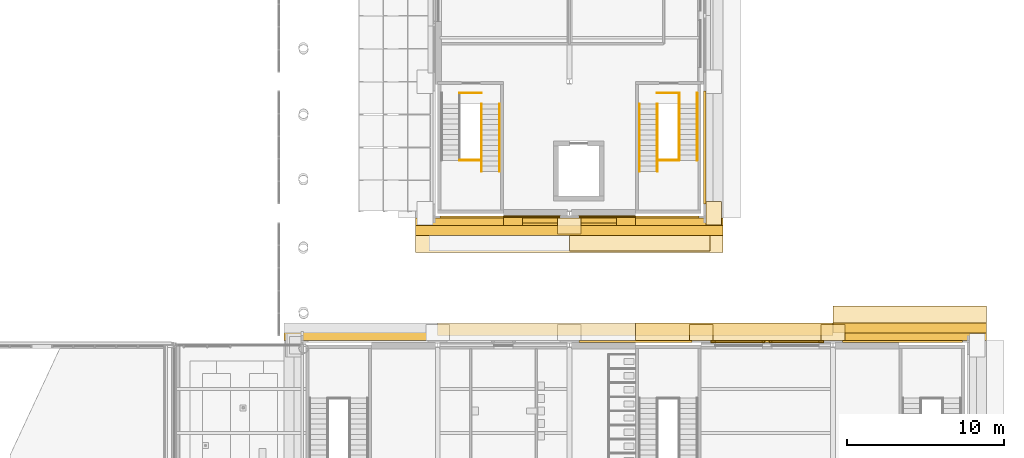
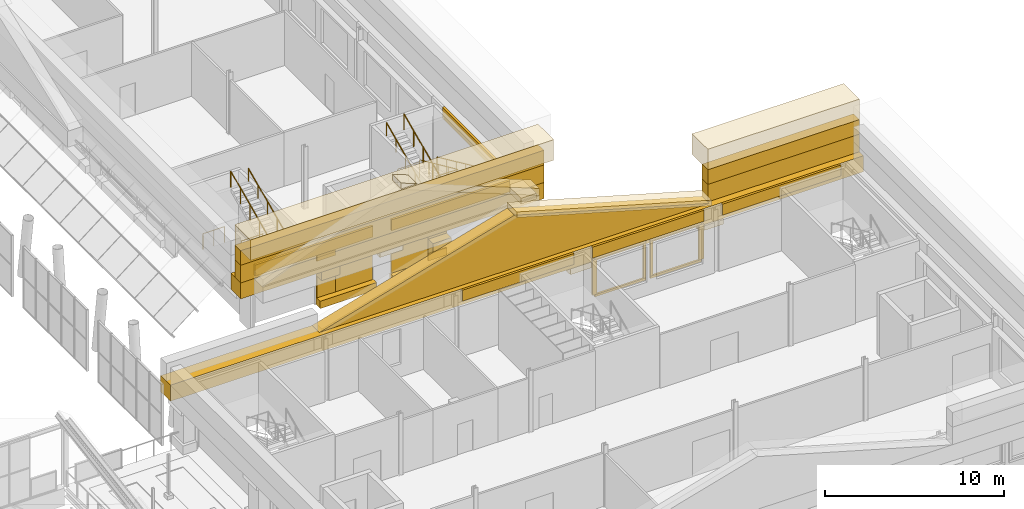
# One storey, part 64 of 76: 39 coverings, 10 railings.
"""IFC4 building model written with IfcOpenShell, lengths in metres."""

from ifc_helpers import new_model, si_unit, direction, frame, origin, origin_2d, place, context, subcontext, project, spatial, polyline, rectangle, circle, outline, extrude, material, layer, layer_set, type_object, element, save


model = new_model("IFC4")

# Units and contexts
model_context = context("Model", 3, precision=1e-05, world=origin(), true_north=direction((0.0, 1.0)))
body_context = subcontext(model_context, "Body", "Model", "MODEL_VIEW")
ifc_project = project(units=[si_unit("LENGTHUNIT", "METRE"), si_unit("AREAUNIT", "SQUARE_METRE"), si_unit("VOLUMEUNIT", "CUBIC_METRE"), si_unit("PLANEANGLEUNIT", "RADIAN"), si_unit("MASSUNIT", "GRAM", prefix="KILO")], contexts=[model_context])

# Site, building, storey
site_placement = place(None, origin())
site = spatial("IfcSite", under=ifc_project, at=site_placement, CompositionType="ELEMENT")
building_placement = place(site_placement, origin())
building = spatial("IfcBuilding", under=site, at=building_placement, Name="Sava Quay Ferry Terminal", CompositionType="ELEMENT")
storey_placement = place(building_placement, frame((0.0, 0.0, 10.800048828125)))
storey = spatial("IfcBuildingStorey", under=building, at=storey_placement, Name="L02", CompositionType="ELEMENT", Elevation=10.800048828125)

# Coverings
ifc_material_1 = material(Name="Limestone Mutalj", Category="masonry")
ifc_layer_1 = layer(ifc_material_1, 1.75)
ifc_layer_set_1 = layer_set([ifc_layer_1], Name="Limestone Mutalj")
covering_type_1 = type_object("IfcCoveringType", Name="Attic crown cornice 1400", PredefinedType="MOLDING", material=ifc_layer_set_1)
covering_1_placement = place(storey_placement, frame((100.800048828125, 57.1650390625, 6.39990234375), z_axis=(0.0, 0.0, 1.0), x_axis=(1.0, 0.0, 0.0)))
element("IfcCovering", 1, at=covering_1_placement, inside=storey, type_object=covering_type_1, Name="Attic crown cornice", PredefinedType="MOLDING", context=body_context, shape_type="SweptSolid", body=[
    extrude(rectangle(XDim=19.60009765625, YDim=1.75, at=origin_2d()), origin(), (0.0, 0.0, 1.0), 1.39990234375),
])
covering_2_placement = place(storey_placement, frame((122.5, 52.034912109375, 6.39990234375), z_axis=(0.0, 0.0, 1.0), x_axis=(1.0, 0.0, 0.0)))
element("IfcCovering", 2, at=covering_2_placement, inside=storey, type_object=covering_type_1, Name="Attic crown cornice", PredefinedType="MOLDING", context=body_context, shape_type="SweptSolid", body=[
    extrude(rectangle(XDim=9.800048828125, YDim=1.75, at=origin_2d()), origin(), (0.0, 0.0, 1.0), 1.39990234375),
])
ifc_material_2 = material(Name="Limestone Mutalj", Category="masonry")
ifc_layer_2 = layer(ifc_material_2, 0.64990234375)
ifc_layer_set_2 = layer_set([ifc_layer_2], Name="Limestone Mutalj")
covering_type_2 = type_object("IfcCoveringType", Name="Attic frieze 1000", PredefinedType="CLADDING", material=ifc_layer_set_2)
covering_3_placement = place(storey_placement, frame((100.800048828125, 57.715087890625, 5.39990234375), z_axis=(0.0, 0.0, 1.0), x_axis=(1.0, 0.0, 0.0)))
element("IfcCovering", 3, at=covering_3_placement, inside=storey, type_object=covering_type_2, Name="Attic frieze", PredefinedType="CLADDING", context=body_context, shape_type="SweptSolid", body=[
    extrude(rectangle(XDim=19.60009765625, YDim=0.64990234375, at=origin_2d()), origin(), (0.0, 0.0, 1.0), 1.0),
])
covering_4_placement = place(storey_placement, frame((122.5, 51.485107421875, 5.39990234375), z_axis=(0.0, 0.0, 1.0), x_axis=(1.0, 0.0, 0.0)))
element("IfcCovering", 4, at=covering_4_placement, inside=storey, type_object=covering_type_2, Name="Attic frieze", PredefinedType="CLADDING", context=body_context, shape_type="SweptSolid", body=[
    extrude(rectangle(XDim=9.800048828125, YDim=0.64990234375, at=origin_2d()), origin(), (0.0, 0.0, 1.0), 1.0),
])
ifc_material_3 = material(Name="Limestone Mutalj", Category="masonry")
ifc_layer_3 = layer(ifc_material_3, 0.64990234375)
ifc_layer_set_3 = layer_set([ifc_layer_3], Name="Limestone Mutalj")
covering_type_3 = type_object("IfcCoveringType", Name="Attic parapet 650", PredefinedType="MOLDING", material=ifc_layer_set_3)
covering_5_placement = place(storey_placement, frame((122.5, 51.485107421875, 4.2001953125), z_axis=(0.0, 0.0, 1.0), x_axis=(1.0, 0.0, 0.0)))
element("IfcCovering", 5, at=covering_5_placement, inside=storey, type_object=covering_type_3, Name="Attic parapet P N", PredefinedType="MOLDING", context=body_context, shape_type="SweptSolid", body=[
    extrude(rectangle(XDim=9.800048828125, YDim=0.64990234375, at=origin_2d()), origin(), (0.0, 0.0, 1.0), 1.199951171875),
])
covering_6_placement = place(storey_placement, frame((100.800048828125, 57.715087890625, 4.2001953125), z_axis=(0.0, 0.0, 1.0), x_axis=(1.0, 0.0, 0.0)))
element("IfcCovering", 6, at=covering_6_placement, inside=storey, type_object=covering_type_3, Name="Attic parapet O S", PredefinedType="MOLDING", context=body_context, shape_type="SweptSolid", body=[
    extrude(rectangle(XDim=19.60009765625, YDim=0.64990234375, at=origin_2d()), origin(), (0.0, 0.0, 1.0), 1.199951171875),
])
ifc_material_4 = material(Name="Limestone Mutalj", Category="masonry")
ifc_layer_4 = layer(ifc_material_4, 0.60009765625)
ifc_layer_set_4 = layer_set([ifc_layer_4], Name="Limestone Mutalj")
covering_type_4 = type_object("IfcCoveringType", Name="Corner quoin block 1200", PredefinedType="CLADDING", material=ifc_layer_set_4)
for number, where, z_axis, x_axis, name in (
    (7, (97.199951171875, 58.340087890625, 2.0), (0.0, 0.0, 1.0), (1.0, 0.0, 0.0), "Corner quoin block"),
    (8, (104.39990234375, 58.340087890625, 1.0), (0.0, 0.0, 1.0), (1.0, 0.0, 0.0), "Corner quoin block"),
):
    element("IfcCovering", number, at=place(storey_placement, frame(where, z_axis=z_axis, x_axis=x_axis)), inside=storey, type_object=covering_type_4, Name=name, PredefinedType="CLADDING", context=body_context, shape_type="SweptSolid", body=[
        extrude(rectangle(XDim=1.199951171875, YDim=0.60009765625, at=origin_2d()), origin(), (0.0, 0.0, 1.0), 1.0),
    ])
ifc_material_5 = material(Name="Limestone Mutalj", Category="masonry")
ifc_layer_5 = layer(ifc_material_5, 1.10009765625)
ifc_layer_set_5 = layer_set([ifc_layer_5], Name="Limestone Mutalj")
covering_type_5 = type_object("IfcCoveringType", Name="Eaves cornice 1100", PredefinedType="MOLDING", material=ifc_layer_set_5)
covering_7_placement = place(storey_placement, frame((105.0, 51.260009765625, 3.099853515625), z_axis=(0.0, 0.0, 1.0), x_axis=(1.0, 0.0, 0.0)))
element("IfcCovering", 9, at=covering_7_placement, inside=storey, type_object=covering_type_5, Name="Eaves cornice P N", PredefinedType="MOLDING", context=body_context, shape_type="SweptSolid", body=[
    extrude(rectangle(XDim=44.800048828125, YDim=1.10009765625, at=origin_2d()), origin(), (0.0, 0.0, 1.0), 1.10009765625),
])
covering_8_placement = place(storey_placement, frame((100.800048828125, 57.93994140625, 3.099853515625), z_axis=(0.0, 0.0, 1.0), x_axis=(1.0, 0.0, 0.0)))
element("IfcCovering", 10, at=covering_8_placement, inside=storey, type_object=covering_type_5, Name="Eaves cornice O S", PredefinedType="MOLDING", context=body_context, shape_type="SweptSolid", body=[
    extrude(rectangle(XDim=19.60009765625, YDim=1.10009765625, at=origin_2d()), origin(), (0.0, 0.0, 1.0), 1.10009765625),
])

# Railings
ifc_material_6 = material(Name="Steel S355", Category="steel")
railing_type_1 = type_object("IfcRailingType", Name="Guard 1100", PredefinedType="GUARDRAIL", material=ifc_material_6)
railing_1_placement = place(storey_placement, frame((93.800048828125, 66.469970703125, 0.0)))
element("IfcRailing", 11, at=railing_1_placement, inside=storey, type_object=railing_type_1, Name="Guard at stair well ST-O1 L02", PredefinedType="GUARDRAIL", context=body_context, shape_type="SweptSolid", body=[
    extrude(circle(Radius=0.02392578125, at=origin_2d()), frame((0.0, 0.0, 1.076171875), z_axis=(1.0, 0.0, 0.0), x_axis=(0.0, 1.0, 0.0)), (0.0, 0.0, 1.0), 1.39990234375),
    extrude(circle(Radius=0.02099609375, at=origin_2d()), origin(), (0.0, 0.0, 1.0), 1.052001953125),
    extrude(circle(Radius=0.02099609375, at=origin_2d()), frame((0.699951171875, 0.0, 0.0)), (0.0, 0.0, 1.0), 1.052001953125),
    extrude(circle(Radius=0.02099609375, at=origin_2d()), frame((1.39990234375, 0.0, 0.0)), (0.0, 0.0, 1.0), 1.052001953125),
])
railing_2_placement = place(storey_placement, frame((95.199951171875, 61.47998046875, 2.25)))
element("IfcRailing", 12, at=railing_2_placement, inside=storey, type_object=railing_type_1, Name="Guard at stair well ST-O1 L02", PredefinedType="GUARDRAIL", context=body_context, shape_type="SweptSolid", body=[
    extrude(circle(Radius=0.02392578125, at=origin_2d()), frame((0.0, 0.0, 1.076171875), z_axis=(0.0, 0.910371800137, 0.413791234219), x_axis=(-1.0, 0.0, 0.0)), (0.0, 0.0, 1.0), 4.71240234375),
    extrude(circle(Radius=0.02099609375, at=origin_2d()), origin(), (0.0, 0.0, 1.0), 1.052001953125),
    extrude(circle(Radius=0.02099609375, at=origin_2d()), frame((0.0, 1.072509765625, 0.487548828125)), (0.0, 0.0, 1.0), 1.052001953125),
    extrude(circle(Radius=0.02099609375, at=origin_2d()), frame((0.0, 2.14501953125, 0.97509765625)), (0.0, 0.0, 1.0), 1.052001953125),
    extrude(circle(Radius=0.02099609375, at=origin_2d()), frame((0.0, 3.217529296875, 1.46240234375)), (0.0, 0.0, 1.0), 1.052001953125),
    extrude(circle(Radius=0.02099609375, at=origin_2d()), frame((0.0, 4.2900390625, 1.949951171875)), (0.0, 0.0, 1.0), 1.052001953125),
])
railing_3_placement = place(storey_placement, frame((93.800048828125, 62.179931640625, 2.099853515625)))
element("IfcRailing", 13, at=railing_3_placement, inside=storey, type_object=railing_type_1, Name="Guard at half landing ST-O1 L02", PredefinedType="GUARDRAIL", context=body_context, shape_type="SweptSolid", body=[
    extrude(circle(Radius=0.02392578125, at=origin_2d()), frame((0.0, 0.0, 1.076171875), z_axis=(1.0, 0.0, 0.0), x_axis=(0.0, 1.0, 0.0)), (0.0, 0.0, 1.0), 1.39990234375),
    extrude(circle(Radius=0.02099609375, at=origin_2d()), origin(), (0.0, 0.0, 1.0), 1.052001953125),
    extrude(circle(Radius=0.02099609375, at=origin_2d()), frame((0.699951171875, 0.0, 0.0)), (0.0, 0.0, 1.0), 1.052001953125),
    extrude(circle(Radius=0.02099609375, at=origin_2d()), frame((1.39990234375, 0.0, 0.0)), (0.0, 0.0, 1.0), 1.052001953125),
])
railing_4_placement = place(storey_placement, frame((106.39990234375, 66.469970703125, 0.0)))
element("IfcRailing", 14, at=railing_4_placement, inside=storey, type_object=railing_type_1, Name="Guard at stair well ST-O2 L02", PredefinedType="GUARDRAIL", context=body_context, shape_type="SweptSolid", body=[
    extrude(circle(Radius=0.02392578125, at=origin_2d()), frame((0.0, 0.0, 1.076171875), z_axis=(1.0, 0.0, 0.0), x_axis=(0.0, 1.0, 0.0)), (0.0, 0.0, 1.0), 1.400146484375),
    extrude(circle(Radius=0.02099609375, at=origin_2d()), origin(), (0.0, 0.0, 1.0), 1.052001953125),
    extrude(circle(Radius=0.02099609375, at=origin_2d()), frame((0.7001953125, 0.0, 0.0)), (0.0, 0.0, 1.0), 1.052001953125),
    extrude(circle(Radius=0.02099609375, at=origin_2d()), frame((1.400146484375, 0.0, 0.0)), (0.0, 0.0, 1.0), 1.052001953125),
])
railing_5_placement = place(storey_placement, frame((107.800048828125, 66.469970703125, 0.14990234375)))
element("IfcRailing", 15, at=railing_5_placement, inside=storey, type_object=railing_type_1, Name="Guard at stair well ST-O2 L02", PredefinedType="GUARDRAIL", context=body_context, shape_type="SweptSolid", body=[
    extrude(circle(Radius=0.02392578125, at=origin_2d()), frame((0.0, 0.0, 1.076171875), z_axis=(0.0, -0.910371800137, 0.413791234219), x_axis=(1.0, 0.0, 0.0)), (0.0, 0.0, 1.0), 4.71240234375),
    extrude(circle(Radius=0.02099609375, at=origin_2d()), origin(), (0.0, 0.0, 1.0), 1.052001953125),
    extrude(circle(Radius=0.02099609375, at=origin_2d()), frame((0.0, -1.072509765625, 0.487548828125)), (0.0, 0.0, 1.0), 1.052001953125),
    extrude(circle(Radius=0.02099609375, at=origin_2d()), frame((0.0, -2.14501953125, 0.97509765625)), (0.0, 0.0, 1.0), 1.052001953125),
    extrude(circle(Radius=0.02099609375, at=origin_2d()), frame((0.0, -3.217529296875, 1.46240234375)), (0.0, 0.0, 1.0), 1.052001953125),
    extrude(circle(Radius=0.02099609375, at=origin_2d()), frame((0.0, -4.2900390625, 1.949951171875)), (0.0, 0.0, 1.0), 1.052001953125),
])
railing_6_placement = place(storey_placement, frame((106.39990234375, 61.47998046875, 2.25)))
element("IfcRailing", 16, at=railing_6_placement, inside=storey, type_object=railing_type_1, Name="Guard at stair well ST-O2 L02", PredefinedType="GUARDRAIL", context=body_context, shape_type="SweptSolid", body=[
    extrude(circle(Radius=0.02392578125, at=origin_2d()), frame((0.0, 0.0, 1.076171875), z_axis=(0.0, 0.910371800137, 0.413791234219), x_axis=(-1.0, 0.0, 0.0)), (0.0, 0.0, 1.0), 4.71240234375),
    extrude(circle(Radius=0.02099609375, at=origin_2d()), origin(), (0.0, 0.0, 1.0), 1.052001953125),
    extrude(circle(Radius=0.02099609375, at=origin_2d()), frame((0.0, 1.072509765625, 0.487548828125)), (0.0, 0.0, 1.0), 1.052001953125),
    extrude(circle(Radius=0.02099609375, at=origin_2d()), frame((0.0, 2.14501953125, 0.97509765625)), (0.0, 0.0, 1.0), 1.052001953125),
    extrude(circle(Radius=0.02099609375, at=origin_2d()), frame((0.0, 3.217529296875, 1.46240234375)), (0.0, 0.0, 1.0), 1.052001953125),
    extrude(circle(Radius=0.02099609375, at=origin_2d()), frame((0.0, 4.2900390625, 1.949951171875)), (0.0, 0.0, 1.0), 1.052001953125),
])
railing_7_placement = place(storey_placement, frame((106.39990234375, 62.179931640625, 2.099853515625)))
element("IfcRailing", 17, at=railing_7_placement, inside=storey, type_object=railing_type_1, Name="Guard at half landing ST-O2 L02", PredefinedType="GUARDRAIL", context=body_context, shape_type="SweptSolid", body=[
    extrude(circle(Radius=0.02392578125, at=origin_2d()), frame((0.0, 0.0, 1.076171875), z_axis=(1.0, 0.0, 0.0), x_axis=(0.0, 1.0, 0.0)), (0.0, 0.0, 1.0), 1.400146484375),
    extrude(circle(Radius=0.02099609375, at=origin_2d()), origin(), (0.0, 0.0, 1.0), 1.052001953125),
    extrude(circle(Radius=0.02099609375, at=origin_2d()), frame((0.7001953125, 0.0, 0.0)), (0.0, 0.0, 1.0), 1.052001953125),
    extrude(circle(Radius=0.02099609375, at=origin_2d()), frame((1.400146484375, 0.0, 0.0)), (0.0, 0.0, 1.0), 1.052001953125),
])

# Coverings
ifc_material_7 = material(Name="Limestone Mutalj", Category="masonry")
ifc_layer_6 = layer(ifc_material_7, 0.080078125)
ifc_layer_set_6 = layer_set([ifc_layer_6], Name="Limestone Mutalj")
covering_type_6 = type_object("IfcCoveringType", Name="Light stone cladding 80", PredefinedType="CLADDING", material=ifc_layer_set_6)
covering_9_placement = place(storey_placement, frame((97.199951171875, 58.60009765625, 0.5), z_axis=(0.0, 0.0, 1.0), x_axis=(1.0, 0.0, 0.0)))
element("IfcCovering", 18, at=covering_9_placement, inside=storey, type_object=covering_type_6, Name="Light stone cladding", PredefinedType="CLADDING", context=body_context, shape_type="SweptSolid", body=[
    extrude(rectangle(XDim=1.199951171875, YDim=0.080078125, at=origin_2d()), origin(), (0.0, 0.0, 1.0), 1.5),
])
covering_10_placement = place(storey_placement, frame((97.199951171875, 58.60009765625, 3.0), z_axis=(0.0, 0.0, 1.0), x_axis=(1.0, 0.0, 0.0)))
element("IfcCovering", 19, at=covering_10_placement, inside=storey, type_object=covering_type_6, Name="Light stone cladding", PredefinedType="CLADDING", context=body_context, shape_type="SweptSolid", body=[
    extrude(rectangle(XDim=1.199951171875, YDim=0.080078125, at=origin_2d()), origin(), (0.0, 0.0, 1.0), 0.449951171875),
])
for number, where, z_axis, x_axis, name in (
    (20, (99.0, 58.60009765625, 0.5), (0.0, 0.0, 1.0), (1.0, 0.0, 0.0), "Light stone cladding"),
    (21, (102.60009765625, 58.60009765625, 0.5), (0.0, 0.0, 1.0), (1.0, 0.0, 0.0), "Light stone cladding"),
):
    element("IfcCovering", number, at=place(storey_placement, frame(where, z_axis=z_axis, x_axis=x_axis)), inside=storey, type_object=covering_type_6, Name=name, PredefinedType="CLADDING", context=body_context, shape_type="SweptSolid", body=[
        extrude(rectangle(XDim=2.39990234375, YDim=0.080078125, at=origin_2d()), origin(), (0.0, 0.0, 1.0), 2.949951171875),
    ])
covering_11_placement = place(storey_placement, frame((104.39990234375, 58.60009765625, 0.5), z_axis=(0.0, 0.0, 1.0), x_axis=(1.0, 0.0, 0.0)))
element("IfcCovering", 22, at=covering_11_placement, inside=storey, type_object=covering_type_6, Name="Light stone cladding", PredefinedType="CLADDING", context=body_context, shape_type="SweptSolid", body=[
    extrude(rectangle(XDim=1.199951171875, YDim=0.080078125, at=origin_2d()), origin(), (0.0, 0.0, 1.0), 0.5),
])
covering_12_placement = place(storey_placement, frame((104.39990234375, 58.60009765625, 2.0), z_axis=(0.0, 0.0, 1.0), x_axis=(1.0, 0.0, 0.0)))
element("IfcCovering", 23, at=covering_12_placement, inside=storey, type_object=covering_type_6, Name="Light stone cladding", PredefinedType="CLADDING", context=body_context, shape_type="SweptSolid", body=[
    extrude(rectangle(XDim=1.199951171875, YDim=0.080078125, at=origin_2d()), origin(), (0.0, 0.0, 1.0), 1.449951171875),
])
ifc_material_8 = material(Name="Limestone Mutalj", Category="masonry")
ifc_layer_7 = layer(ifc_material_8, 0.14990234375)
ifc_layer_set_7 = layer_set([ifc_layer_7], Name="Limestone Mutalj")
covering_type_7 = type_object("IfcCoveringType", Name="Limestone string course 150", PredefinedType="CLADDING", material=ifc_layer_set_7)
covering_13_placement = place(storey_placement, frame((0.0, 0.0, 3.449951171875)))
element("IfcCovering", 24, at=covering_13_placement, inside=storey, type_object=covering_type_7, Name="String course P-N", PredefinedType="CLADDING", context=body_context, shape_type="SweptSolid", body=[
    extrude(outline(polyline([(101.39990234375, 50.56005859375), (108.60009765625, 50.56005859375), (108.60009765625, 50.7099609375), (101.39990234375, 50.7099609375), (101.39990234375, 50.56005859375)])), origin(), (0.0, 0.0, 1.0), 0.75),
])
covering_14_placement = place(storey_placement, frame((0.0, 0.0, 3.449951171875)))
element("IfcCovering", 25, at=covering_14_placement, inside=storey, type_object=covering_type_7, Name="String course P-N", PredefinedType="CLADDING", context=body_context, shape_type="SweptSolid", body=[
    extrude(outline(polyline([(109.800048828125, 50.56005859375), (117.0, 50.56005859375), (117.0, 50.7099609375), (109.800048828125, 50.7099609375), (109.800048828125, 50.56005859375)])), origin(), (0.0, 0.0, 1.0), 0.75),
])
covering_15_placement = place(storey_placement, frame((0.0, 0.0, 3.449951171875)))
element("IfcCovering", 26, at=covering_15_placement, inside=storey, type_object=covering_type_7, Name="String course P-N", PredefinedType="CLADDING", context=body_context, shape_type="SweptSolid", body=[
    extrude(outline(polyline([(118.199951171875, 50.56005859375), (125.85009765625, 50.56005859375), (125.85009765625, 50.7099609375), (118.199951171875, 50.7099609375), (118.199951171875, 50.56005859375)])), origin(), (0.0, 0.0, 1.0), 0.75),
])
covering_16_placement = place(storey_placement, frame((0.0, 0.0, 3.449951171875)))
element("IfcCovering", 27, at=covering_16_placement, inside=storey, type_object=covering_type_7, Name="String course O-E", PredefinedType="CLADDING", context=body_context, shape_type="SweptSolid", body=[
    extrude(outline(polyline([(109.35009765625, 59.39990234375), (109.35009765625, 66.60009765625), (109.5, 66.60009765625), (109.5, 59.39990234375), (109.35009765625, 59.39990234375)])), origin(), (0.0, 0.0, 1.0), 0.75),
])
covering_17_placement = place(storey_placement, frame((0.0, 0.0, 3.449951171875)))
element("IfcCovering", 28, at=covering_17_placement, inside=storey, type_object=covering_type_7, Name="String course O-S", PredefinedType="CLADDING", context=body_context, shape_type="SweptSolid", body=[
    extrude(outline(polyline([(92.550048828125, 58.639892578125), (100.199951171875, 58.639892578125), (100.199951171875, 58.489990234375), (92.550048828125, 58.489990234375), (92.550048828125, 58.639892578125)])), origin(), (0.0, 0.0, 1.0), 0.75),
])
covering_18_placement = place(storey_placement, frame((0.0, 0.0, 3.449951171875)))
element("IfcCovering", 29, at=covering_18_placement, inside=storey, type_object=covering_type_7, Name="String course O-S", PredefinedType="CLADDING", context=body_context, shape_type="SweptSolid", body=[
    extrude(outline(polyline([(101.39990234375, 58.639892578125), (109.050048828125, 58.639892578125), (109.050048828125, 58.489990234375), (101.39990234375, 58.489990234375), (101.39990234375, 58.639892578125)])), origin(), (0.0, 0.0, 1.0), 0.75),
])
ifc_material_9 = material(Name="Limestone Mutalj", Category="masonry")
ifc_layer_8 = layer(ifc_material_9, 0.800048828125)
ifc_layer_set_8 = layer_set([ifc_layer_8], Name="Limestone Mutalj")
covering_type_8 = type_object("IfcCoveringType", Name="Pediment tympanum 800", PredefinedType="CLADDING", material=ifc_layer_set_8)
covering_19_placement = place(storey_placement, frame((92.39990234375, 51.0, 4.199951171875), z_axis=(0.0, -1.0, 0.0), x_axis=(1.0, 0.0, 0.0)))
element("IfcCovering", 30, at=covering_19_placement, inside=storey, type_object=covering_type_8, Name="Front pediment P N", PredefinedType="CLADDING", context=body_context, shape_type="SweptSolid", body=[
    extrude(outline(polyline([(0.0, 0.0), (25.2001953125, 0.0), (12.60009765625, 3.60009765625), (0.0, 0.0)])), origin(), (0.0, 0.0, -1.0), 0.81005859375),
])
ifc_material_10 = material(Name="Limestone Mutalj", Category="masonry")
ifc_layer_9 = layer(ifc_material_10, 1.0)
ifc_layer_set_9 = layer_set([ifc_layer_9], Name="Limestone Mutalj")
covering_type_9 = type_object("IfcCoveringType", Name="Pilaster capital block 1500", PredefinedType="MOLDING", material=ifc_layer_set_9)
covering_20_placement = place(storey_placement, frame((110.0, 58.800048828125, 2.699951171875), z_axis=(0.0, 0.0, 1.0), x_axis=(1.0, 0.0, 0.0)))
element("IfcCovering", 31, at=covering_20_placement, inside=storey, type_object=covering_type_9, Name="Giant-order capital", PredefinedType="MOLDING", context=body_context, shape_type="SweptSolid", body=[
    extrude(rectangle(XDim=1.0, YDim=1.5, at=origin_2d()), origin(), (0.0, 0.0, 1.0), 0.39990234375),
])
for number, where, z_axis, x_axis, name in (
    (32, (100.800048828125, 57.989990234375, 2.699951171875), (0.0, 0.0, 1.0), (1.0, 0.0, 0.0), "Giant-order capital"),
    (33, (109.199951171875, 51.2099609375, 2.699951171875), (0.0, 0.0, 1.0), (1.0, 0.0, 0.0), "Giant-order capital"),
    (34, (117.60009765625, 51.2099609375, 2.699951171875), (0.0, 0.0, 1.0), (1.0, 0.0, 0.0), "Giant-order capital"),
):
    element("IfcCovering", number, at=place(storey_placement, frame(where, z_axis=z_axis, x_axis=x_axis)), inside=storey, type_object=covering_type_9, Name=name, PredefinedType="MOLDING", context=body_context, shape_type="SweptSolid", body=[
        extrude(rectangle(XDim=1.5, YDim=1.0, at=origin_2d()), origin(), (0.0, 0.0, 1.0), 0.39990234375),
    ])
ifc_material_11 = material(Name="Limestone Mutalj", Category="masonry")
ifc_layer_10 = layer(ifc_material_11, 0.1201171875)
ifc_layer_set_10 = layer_set([ifc_layer_10], Name="Limestone Mutalj")
covering_type_10 = type_object("IfcCoveringType", Name="Plain window architrave 150", PredefinedType="MOLDING", material=ifc_layer_set_10)
covering_21_placement = place(storey_placement, frame((109.949951171875, 50.6201171875, 0.89990234375), z_axis=(0.0, 0.0, 1.0), x_axis=(1.0, 0.0, 0.0)))
element("IfcCovering", 35, at=covering_21_placement, inside=storey, type_object=covering_type_10, Name="Plain window architrave", PredefinedType="MOLDING", context=body_context, shape_type="SweptSolid", body=[
    extrude(rectangle(XDim=0.300048828125, YDim=0.1201171875, at=origin_2d()), origin(), (0.0, 0.0, 1.0), 2.39990234375),
])
covering_22_placement = place(storey_placement, frame((113.175048828125, 50.6201171875, 0.89990234375), z_axis=(0.0, 0.0, 1.0), x_axis=(1.0, 0.0, 0.0)))
element("IfcCovering", 36, at=covering_22_placement, inside=storey, type_object=covering_type_10, Name="Plain window architrave", PredefinedType="MOLDING", context=body_context, shape_type="SweptSolid", body=[
    extrude(rectangle(XDim=0.14990234375, YDim=0.1201171875, at=origin_2d()), origin(), (0.0, 0.0, 1.0), 2.39990234375),
])
for number, where, z_axis, x_axis, name in (
    (37, (111.60009765625, 50.6201171875, 3.300048828125), (0.0, 0.0, 1.0), (1.0, 0.0, 0.0), "Plain window architrave"),
    (38, (111.60009765625, 50.6201171875, 0.75), (0.0, 0.0, 1.0), (1.0, 0.0, 0.0), "Plain window architrave"),
):
    element("IfcCovering", number, at=place(storey_placement, frame(where, z_axis=z_axis, x_axis=x_axis)), inside=storey, type_object=covering_type_10, Name=name, PredefinedType="MOLDING", context=body_context, shape_type="SweptSolid", body=[
        extrude(rectangle(XDim=3.300048828125, YDim=0.1201171875, at=origin_2d()), origin(), (0.0, 0.0, 1.0), 0.14990234375),
    ])
covering_23_placement = place(storey_placement, frame((113.625, 50.6201171875, 0.89990234375), z_axis=(0.0, 0.0, 1.0), x_axis=(1.0, 0.0, 0.0)))
element("IfcCovering", 39, at=covering_23_placement, inside=storey, type_object=covering_type_10, Name="Plain window architrave", PredefinedType="MOLDING", context=body_context, shape_type="SweptSolid", body=[
    extrude(rectangle(XDim=0.14990234375, YDim=0.1201171875, at=origin_2d()), origin(), (0.0, 0.0, 1.0), 2.39990234375),
])
covering_24_placement = place(storey_placement, frame((116.85009765625, 50.6201171875, 0.89990234375), z_axis=(0.0, 0.0, 1.0), x_axis=(1.0, 0.0, 0.0)))
element("IfcCovering", 40, at=covering_24_placement, inside=storey, type_object=covering_type_10, Name="Plain window architrave", PredefinedType="MOLDING", context=body_context, shape_type="SweptSolid", body=[
    extrude(rectangle(XDim=0.300048828125, YDim=0.1201171875, at=origin_2d()), origin(), (0.0, 0.0, 1.0), 2.39990234375),
])
for number, where, z_axis, x_axis, name in (
    (41, (115.199951171875, 50.6201171875, 3.300048828125), (0.0, 0.0, 1.0), (1.0, 0.0, 0.0), "Plain window architrave"),
    (42, (115.199951171875, 50.6201171875, 0.75), (0.0, 0.0, 1.0), (1.0, 0.0, 0.0), "Plain window architrave"),
):
    element("IfcCovering", number, at=place(storey_placement, frame(where, z_axis=z_axis, x_axis=x_axis)), inside=storey, type_object=covering_type_10, Name=name, PredefinedType="MOLDING", context=body_context, shape_type="SweptSolid", body=[
        extrude(rectangle(XDim=3.300048828125, YDim=0.1201171875, at=origin_2d()), origin(), (0.0, 0.0, 1.0), 0.14990234375),
    ])
ifc_material_12 = material(Name="Limestone Mutalj", Category="masonry")
ifc_layer_11 = layer(ifc_material_12, 1.0)
ifc_layer_set_11 = layer_set([ifc_layer_11], Name="Limestone Mutalj")
covering_type_11 = type_object("IfcCoveringType", Name="Portico raking cornice 1000", PredefinedType="MOLDING", material=ifc_layer_set_11)
covering_25_placement = place(storey_placement, frame((100.800048828125, 56.389892578125, 7.699951171875), z_axis=(0.0, -1.0, 0.0), x_axis=(0.931318849213, 0.0, -0.364204888903)))
element("IfcCovering", 43, at=covering_25_placement, inside=storey, type_object=covering_type_11, Name="Portico raking cornice", PredefinedType="MOLDING", context=body_context, shape_type="SweptSolid", body=[
    extrude(outline(polyline([(0.0, 0.0), (9.609975337062354, 0.0), (9.427872892610614, 0.46565942460633236), (-0.1821024444517412, 0.46565942460633236), (0.0, 0.0)])), origin(), (0.0, 0.0, -1.0), 1.0),
])
ifc_material_13 = material(Name="Limestone Mutalj", Category="masonry")
ifc_layer_12 = layer(ifc_material_13, 0.449951171875)
ifc_layer_set_12 = layer_set([ifc_layer_12], Name="Limestone Mutalj")
covering_type_12 = type_object("IfcCoveringType", Name="Projecting string course 500", PredefinedType="MOLDING", material=ifc_layer_set_12)
for number, where, z_axis, x_axis, name in (
    (44, (98.425048828125, 58.4150390625, 0.0), (0.0, 0.0, 1.0), (1.0, 0.0, 0.0), "Projecting string course"),
    (45, (103.175048828125, 58.4150390625, 0.0), (0.0, 0.0, 1.0), (1.0, 0.0, 0.0), "Projecting string course"),
):
    element("IfcCovering", number, at=place(storey_placement, frame(where, z_axis=z_axis, x_axis=x_axis)), inside=storey, type_object=covering_type_12, Name=name, PredefinedType="MOLDING", context=body_context, shape_type="SweptSolid", body=[
        extrude(rectangle(XDim=3.64990234375, YDim=0.449951171875, at=origin_2d()), origin(), (0.0, 0.0, 1.0), 0.5),
    ])
ifc_material_14 = material(Name="Limestone Mutalj", Category="masonry")
ifc_layer_13 = layer(ifc_material_14, 1.39990234375)
ifc_layer_set_13 = layer_set([ifc_layer_13], Name="Limestone Mutalj")
covering_type_13 = type_object("IfcCoveringType", Name="Raking cornice 500", PredefinedType="MOLDING", material=ifc_layer_set_13)
covering_26_placement = place(storey_placement, frame((105.0, 50.7099609375, 7.800048828125), z_axis=(0.0, -1.0, 0.0), x_axis=(0.961522541549, 0.0, -0.27472604917)))
element("IfcCovering", 46, at=covering_26_placement, inside=storey, type_object=covering_type_13, Name="Front raking cornice P N", PredefinedType="MOLDING", context=body_context, shape_type="SweptSolid", body=[
    extrude(outline(polyline([(0.0, 0.0), (13.104318527934732, -4.440892098500626e-16), (12.99445493698231, 0.3845151179339794), (-0.10986359095242128, 0.3845151179339796), (0.0, 0.0)])), origin(), (0.0, 0.0, -1.0), 1.10009765625),
])

# Railings
ifc_material_15 = material(Name="Steel S355", Category="steel")
railing_type_2 = type_object("IfcRailingType", Name="Stair handrail 900", PredefinedType="HANDRAIL", material=ifc_material_15)
railing_8_placement = place(storey_placement, frame((96.340087890625, 61.47998046875, 2.25)))
element("IfcRailing", 47, at=railing_8_placement, inside=storey, type_object=railing_type_2, Name="Handrail ST-O1 L02", PredefinedType="HANDRAIL", context=body_context, shape_type="SweptSolid", body=[
    extrude(circle(Radius=0.02392578125, at=origin_2d()), frame((0.0, 0.0, 0.8759765625), z_axis=(0.0, 0.910371800137, 0.413791234219), x_axis=(-1.0, 0.0, 0.0)), (0.0, 0.0, 1.0), 4.71240234375),
    extrude(circle(Radius=0.02099609375, at=origin_2d()), origin(), (0.0, 0.0, 1.0), 0.851806640625),
    extrude(circle(Radius=0.02099609375, at=origin_2d()), frame((0.0, 1.072509765625, 0.487548828125)), (0.0, 0.0, 1.0), 0.851806640625),
    extrude(circle(Radius=0.02099609375, at=origin_2d()), frame((0.0, 2.14501953125, 0.97509765625)), (0.0, 0.0, 1.0), 0.851806640625),
    extrude(circle(Radius=0.02099609375, at=origin_2d()), frame((0.0, 3.217529296875, 1.46240234375)), (0.0, 0.0, 1.0), 0.851806640625),
    extrude(circle(Radius=0.02099609375, at=origin_2d()), frame((0.0, 4.2900390625, 1.949951171875)), (0.0, 0.0, 1.0), 0.851806640625),
])
railing_9_placement = place(storey_placement, frame((108.93994140625, 66.469970703125, 0.14990234375)))
element("IfcRailing", 48, at=railing_9_placement, inside=storey, type_object=railing_type_2, Name="Handrail ST-O2 L02", PredefinedType="HANDRAIL", context=body_context, shape_type="SweptSolid", body=[
    extrude(circle(Radius=0.02392578125, at=origin_2d()), frame((0.0, 0.0, 0.8759765625), z_axis=(0.0, -0.910371800137, 0.413791234219), x_axis=(1.0, 0.0, 0.0)), (0.0, 0.0, 1.0), 4.71240234375),
    extrude(circle(Radius=0.02099609375, at=origin_2d()), origin(), (0.0, 0.0, 1.0), 0.851806640625),
    extrude(circle(Radius=0.02099609375, at=origin_2d()), frame((0.0, -1.072509765625, 0.487548828125)), (0.0, 0.0, 1.0), 0.851806640625),
    extrude(circle(Radius=0.02099609375, at=origin_2d()), frame((0.0, -2.14501953125, 0.97509765625)), (0.0, 0.0, 1.0), 0.851806640625),
    extrude(circle(Radius=0.02099609375, at=origin_2d()), frame((0.0, -3.217529296875, 1.46240234375)), (0.0, 0.0, 1.0), 0.851806640625),
    extrude(circle(Radius=0.02099609375, at=origin_2d()), frame((0.0, -4.2900390625, 1.949951171875)), (0.0, 0.0, 1.0), 0.851806640625),
])
railing_10_placement = place(storey_placement, frame((105.260009765625, 61.47998046875, 2.25)))
element("IfcRailing", 49, at=railing_10_placement, inside=storey, type_object=railing_type_2, Name="Handrail ST-O2 L02", PredefinedType="HANDRAIL", context=body_context, shape_type="SweptSolid", body=[
    extrude(circle(Radius=0.02392578125, at=origin_2d()), frame((0.0, 0.0, 0.8759765625), z_axis=(0.0, 0.910371800137, 0.413791234219), x_axis=(-1.0, 0.0, 0.0)), (0.0, 0.0, 1.0), 4.71240234375),
    extrude(circle(Radius=0.02099609375, at=origin_2d()), origin(), (0.0, 0.0, 1.0), 0.851806640625),
    extrude(circle(Radius=0.02099609375, at=origin_2d()), frame((0.0, 1.072509765625, 0.487548828125)), (0.0, 0.0, 1.0), 0.851806640625),
    extrude(circle(Radius=0.02099609375, at=origin_2d()), frame((0.0, 2.14501953125, 0.97509765625)), (0.0, 0.0, 1.0), 0.851806640625),
    extrude(circle(Radius=0.02099609375, at=origin_2d()), frame((0.0, 3.217529296875, 1.46240234375)), (0.0, 0.0, 1.0), 0.851806640625),
    extrude(circle(Radius=0.02099609375, at=origin_2d()), frame((0.0, 4.2900390625, 1.949951171875)), (0.0, 0.0, 1.0), 0.851806640625),
])

save(model, "model.ifc")
